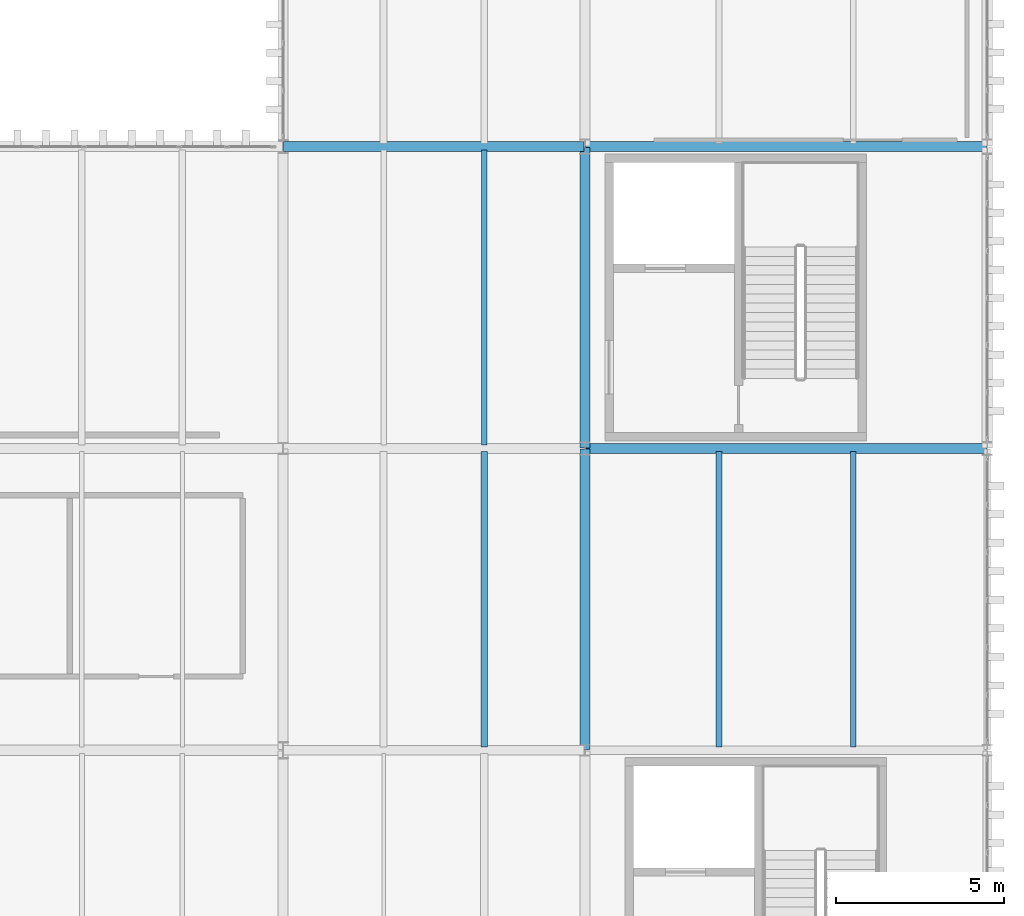
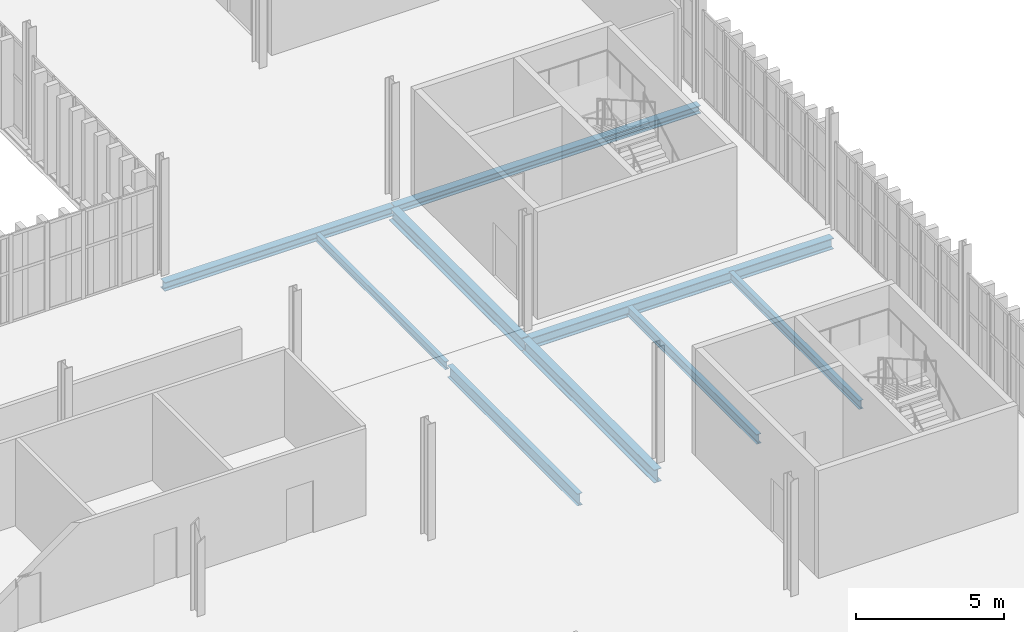
# One storey, part 123 of 196: 9 beams.
"""IFC4 building model written with IfcOpenShell, lengths in metres."""

from ifc_helpers import new_model, si_unit, direction, frame, origin, origin_2d, place, context, subcontext, project, spatial, i_section, extrude, material, material_profile, profile_set, type_object, element, save


model = new_model("IFC4")

# Units and contexts
model_context = context("Model", 3, precision=1e-05, world=origin(), true_north=direction((0.0, 1.0)))
body_context = subcontext(model_context, "Body", "Model", "MODEL_VIEW")
ifc_project = project(units=[si_unit("LENGTHUNIT", "METRE"), si_unit("AREAUNIT", "SQUARE_METRE"), si_unit("VOLUMEUNIT", "CUBIC_METRE"), si_unit("PLANEANGLEUNIT", "RADIAN"), si_unit("MASSUNIT", "GRAM", prefix="KILO")], contexts=[model_context])

# Site, building, storey
site_placement = place(None, origin())
site = spatial("IfcSite", under=ifc_project, at=site_placement, CompositionType="ELEMENT")
building_placement = place(site_placement, origin())
building = spatial("IfcBuilding", under=site, at=building_placement, Name="Barlavento Convention Centre", CompositionType="ELEMENT")
storey_placement = place(building_placement, frame((0.0, 0.0, 18.0)))
storey = spatial("IfcBuildingStorey", under=building, at=storey_placement, Name="L03", CompositionType="ELEMENT", Elevation=18.0)

# Beams
ifc_material = material(Name="Steel S355", Category="steel")
ifc_material_profile_1 = material_profile(ifc_material, i_section(OverallWidth=0.159912109375, OverallDepth=0.330078125, WebThickness=0.007568359375, FlangeThickness=0.011474609375, FilletRadius=0.01806640625, at=origin_2d()), Name="IPE 330")
ifc_profile_set_1 = profile_set([ifc_material_profile_1], Name="Steel S355")
beam_type_1 = type_object("IfcBeamType", Name="STR-BM-JST-IPE330", PredefinedType="JOIST", material=ifc_profile_set_1)
beam_1_placement = place(storey_placement, frame((177.0, 54.094970703125, -0.554931640625), z_axis=(0.0, 1.0, 0.0), x_axis=(-1.0, 0.0, 0.0)))
element("IfcBeam", 1, at=beam_1_placement, inside=storey, type_object=beam_type_1, Name="L03 composite floor joist SJ06", PredefinedType="JOIST", context=body_context, shape_type="SweptSolid", body=[
    extrude(i_section(OverallWidth=0.159912109375, OverallDepth=0.330078125, WebThickness=0.007568359375, FlangeThickness=0.011474609375, FilletRadius=0.01806640625, at=origin_2d()), origin(), (0.0, 0.0, 1.0), 8.81005859375),
])
ifc_material_profile_2 = material_profile(ifc_material, i_section(OverallWidth=0.169921875, OverallDepth=0.360107421875, WebThickness=0.008056640625, FlangeThickness=0.0126953125, FilletRadius=0.01806640625, at=origin_2d()), Name="IPE 360")
ifc_profile_set_2 = profile_set([ifc_material_profile_2], Name="Steel S355")
beam_type_2 = type_object("IfcBeamType", Name="STR-BM-JST-IPE360", PredefinedType="JOIST", material=ifc_profile_set_2)
beam_2_placement = place(storey_placement, frame((188.0, 45.094970703125, -0.570068359375), z_axis=(0.0, 1.0, 0.0), x_axis=(-1.0, 0.0, 0.0)))
element("IfcBeam", 2, at=beam_2_placement, inside=storey, type_object=beam_type_2, Name="L03 composite floor joist SJ05", PredefinedType="JOIST", context=body_context, shape_type="SweptSolid", body=[
    extrude(i_section(OverallWidth=0.169921875, OverallDepth=0.360107421875, WebThickness=0.008056640625, FlangeThickness=0.0126953125, FilletRadius=0.01806640625, at=origin_2d()), origin(), (0.0, 0.0, 1.0), 8.81005859375),
])
ifc_material_profile_3 = material_profile(ifc_material, i_section(OverallWidth=0.179931640625, OverallDepth=0.39990234375, WebThickness=0.008544921875, FlangeThickness=0.013427734375, FilletRadius=0.02099609375, at=origin_2d()), Name="IPE 400")
ifc_profile_set_3 = profile_set([ifc_material_profile_3], Name="Steel S355")
beam_type_3 = type_object("IfcBeamType", Name="STR-BM-JST-IPE400", PredefinedType="JOIST", material=ifc_profile_set_3)
beam_3_placement = place(storey_placement, frame((184.0, 45.094970703125, -0.590087890625), z_axis=(0.0, 1.0, 0.0), x_axis=(-1.0, 0.0, 0.0)))
element("IfcBeam", 3, at=beam_3_placement, inside=storey, type_object=beam_type_3, Name="L03 composite floor joist SJ04", PredefinedType="JOIST", context=body_context, shape_type="SweptSolid", body=[
    extrude(i_section(OverallWidth=0.179931640625, OverallDepth=0.39990234375, WebThickness=0.008544921875, FlangeThickness=0.013427734375, FilletRadius=0.02099609375, at=origin_2d()), origin(), (0.0, 0.0, 1.0), 8.81005859375),
])
ifc_material_profile_4 = material_profile(ifc_material, i_section(OverallWidth=0.199951171875, OverallDepth=0.5, WebThickness=0.01025390625, FlangeThickness=0.01611328125, FilletRadius=0.02099609375, at=origin_2d()), Name="IPE 500")
ifc_profile_set_4 = profile_set([ifc_material_profile_4], Name="Steel S355")
beam_type_4 = type_object("IfcBeamType", Name="STR-BM-JST-IPE500", PredefinedType="JOIST", material=ifc_profile_set_4)
beam_4_placement = place(storey_placement, frame((177.0, 45.094970703125, -0.639892578125), z_axis=(0.0, 1.0, 0.0), x_axis=(-1.0, 0.0, 0.0)))
element("IfcBeam", 4, at=beam_4_placement, inside=storey, type_object=beam_type_4, Name="L03 composite floor joist SJ02", PredefinedType="JOIST", context=body_context, shape_type="SweptSolid", body=[
    extrude(i_section(OverallWidth=0.199951171875, OverallDepth=0.5, WebThickness=0.01025390625, FlangeThickness=0.01611328125, FilletRadius=0.02099609375, at=origin_2d()), origin(), (0.0, 0.0, 1.0), 8.81005859375),
])
ifc_material_profile_5 = material_profile(ifc_material, i_section(OverallWidth=0.300048828125, OverallDepth=0.5400390625, WebThickness=0.012451171875, FlangeThickness=0.02392578125, FilletRadius=0.027099609375, at=origin_2d()), Name="HEA 550")
ifc_profile_set_5 = profile_set([ifc_material_profile_5], Name="Steel S355")
beam_type_5 = type_object("IfcBeamType", Name="STR-BM-PRI-HEA550", PredefinedType="BEAM", material=ifc_profile_set_5)
for number, where, z_axis, x_axis, name in (
    (5, (180.0, 45.02001953125, -0.659912109375), (0.0, 1.0, 0.0), (-1.0, 0.0, 0.0), "L03 grid girder BG19"),
    (6, (180.0, 54.02001953125, -0.659912109375), (0.0, 1.0, 0.0), (-1.0, 0.0, 0.0), "L03 grid girder BG19"),
):
    element("IfcBeam", number, at=place(storey_placement, frame(where, z_axis=z_axis, x_axis=x_axis)), inside=storey, type_object=beam_type_5, Name=name, PredefinedType="BEAM", context=body_context, shape_type="SweptSolid", body=[
        extrude(i_section(OverallWidth=0.300048828125, OverallDepth=0.5400390625, WebThickness=0.012451171875, FlangeThickness=0.02392578125, FilletRadius=0.027099609375, at=origin_2d()), origin(), (0.0, 0.0, 1.0), 8.9599609375),
    ])
ifc_material_profile_6 = material_profile(ifc_material, i_section(OverallWidth=0.300048828125, OverallDepth=0.320068359375, WebThickness=0.011474609375, FlangeThickness=0.0205078125, FilletRadius=0.027099609375, at=origin_2d()), Name="HEB 320")
ifc_profile_set_6 = profile_set([ifc_material_profile_6], Name="Steel S355")
beam_type_6 = type_object("IfcBeamType", Name="STR-BM-PRI-HEB320", PredefinedType="BEAM", material=ifc_profile_set_6)
beam_5_placement = place(storey_placement, frame((180.02001953125, 63.0, -0.52001953125), z_axis=(1.0, 0.0, 0.0), x_axis=(0.0, 1.0, 0.0)))
element("IfcBeam", 7, at=beam_5_placement, inside=storey, type_object=beam_type_6, Name="L03 primary girder BG13", PredefinedType="BEAM", context=body_context, shape_type="SweptSolid", body=[
    extrude(i_section(OverallWidth=0.300048828125, OverallDepth=0.320068359375, WebThickness=0.011474609375, FlangeThickness=0.0205078125, FilletRadius=0.027099609375, at=origin_2d()), origin(), (0.0, 0.0, 1.0), 11.9599609375),
])
ifc_material_profile_7 = material_profile(ifc_material, i_section(OverallWidth=0.300048828125, OverallDepth=0.360107421875, WebThickness=0.012451171875, FlangeThickness=0.0224609375, FilletRadius=0.027099609375, at=origin_2d()), Name="HEB 360")
ifc_profile_set_7 = profile_set([ifc_material_profile_7], Name="Steel S355")
beam_type_7 = type_object("IfcBeamType", Name="STR-BM-PRI-HEB360", PredefinedType="BEAM", material=ifc_profile_set_7)
beam_6_placement = place(storey_placement, frame((171.02001953125, 63.0, -0.5400390625), z_axis=(1.0, 0.0, 0.0), x_axis=(0.0, 1.0, 0.0)))
element("IfcBeam", 8, at=beam_6_placement, inside=storey, type_object=beam_type_7, Name="L03 primary girder BG12", PredefinedType="BEAM", context=body_context, shape_type="SweptSolid", body=[
    extrude(i_section(OverallWidth=0.300048828125, OverallDepth=0.360107421875, WebThickness=0.012451171875, FlangeThickness=0.0224609375, FilletRadius=0.027099609375, at=origin_2d()), origin(), (0.0, 0.0, 1.0), 8.9599609375),
])
ifc_material_profile_8 = material_profile(ifc_material, i_section(OverallWidth=0.300048828125, OverallDepth=0.449951171875, WebThickness=0.013916015625, FlangeThickness=0.02587890625, FilletRadius=0.027099609375, at=origin_2d()), Name="HEB 450")
ifc_profile_set_8 = profile_set([ifc_material_profile_8], Name="Steel S355")
beam_type_8 = type_object("IfcBeamType", Name="STR-BM-PRI-HEB450", PredefinedType="BEAM", material=ifc_profile_set_8)
beam_7_placement = place(storey_placement, frame((180.02001953125, 54.0, -0.614990234375), z_axis=(1.0, 0.0, 0.0), x_axis=(0.0, 1.0, 0.0)))
element("IfcBeam", 9, at=beam_7_placement, inside=storey, type_object=beam_type_8, Name="L03 primary girder BG10", PredefinedType="BEAM", context=body_context, shape_type="SweptSolid", body=[
    extrude(i_section(OverallWidth=0.300048828125, OverallDepth=0.449951171875, WebThickness=0.013916015625, FlangeThickness=0.02587890625, FilletRadius=0.027099609375, at=origin_2d()), origin(), (0.0, 0.0, 1.0), 11.9599609375),
])

save(model, "model.ifc")
